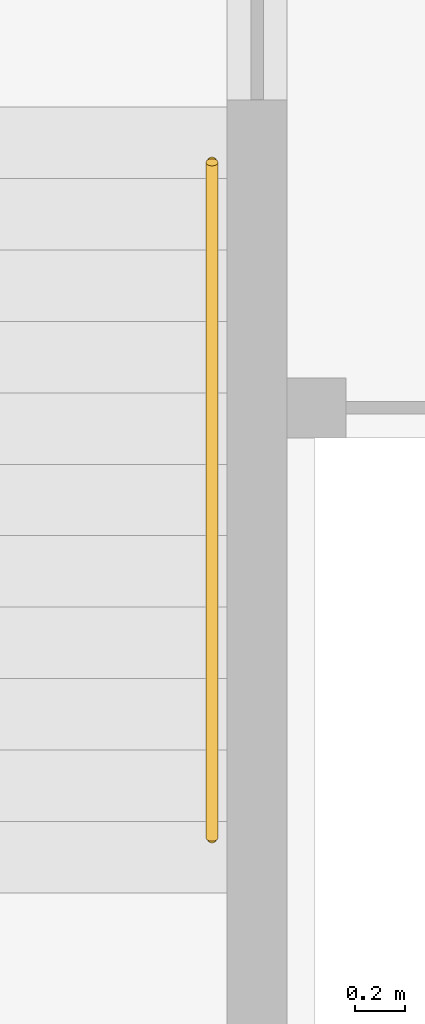
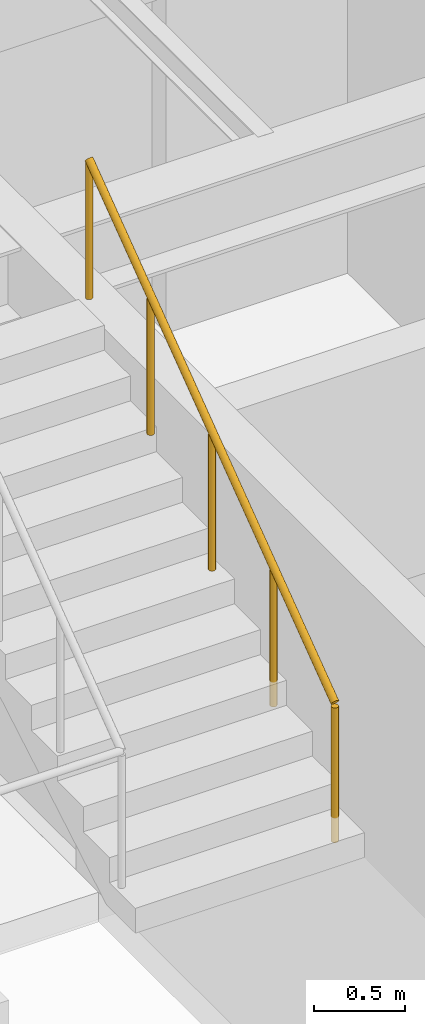
# One storey, part 17 of 17: 1 railing.
"""IFC4 building model written with IfcOpenShell, lengths in metres."""

from ifc_helpers import new_model, si_unit, direction, frame, origin, origin_2d, place, context, subcontext, project, spatial, circle, extrude, material, type_object, element, save


model = new_model("IFC4")

# Units and contexts
model_context = context("Model", 3, precision=1e-05, world=origin(), true_north=direction((0.0, 1.0)))
body_context = subcontext(model_context, "Body", "Model", "MODEL_VIEW")
ifc_project = project(units=[si_unit("LENGTHUNIT", "METRE"), si_unit("AREAUNIT", "SQUARE_METRE"), si_unit("VOLUMEUNIT", "CUBIC_METRE"), si_unit("PLANEANGLEUNIT", "RADIAN"), si_unit("MASSUNIT", "GRAM", prefix="KILO")], contexts=[model_context])

# Site, building, storey
site_placement = place(None, origin())
site = spatial("IfcSite", under=ifc_project, at=site_placement, CompositionType="ELEMENT")
building_placement = place(site_placement, origin())
building = spatial("IfcBuilding", under=site, at=building_placement, Name="Montelvaro Courts of Justice", CompositionType="ELEMENT")
storey_placement = place(building_placement, frame((0.0, 0.0, 31.39990234375)))
storey = spatial("IfcBuildingStorey", under=building, at=storey_placement, Name="L07", CompositionType="ELEMENT", Elevation=31.39990234375)

# Railing
ifc_material = material(Name="Austenitic stainless steel EN 1.4401", Category="steel")
railing_type = type_object("IfcRailingType", Name="StairHandrail_950", PredefinedType="HANDRAIL", material=ifc_material)
railing_placement = place(storey_placement, frame((112.239990234375, 8.304931640625, 2.0)))
element("IfcRailing", 1, at=railing_placement, inside=storey, type_object=railing_type, Name="Stair Pitch Handrail HR-01 ST-K2-L07-F2H", PredefinedType="HANDRAIL", context=body_context, shape_type="SweptSolid", body=[
    extrude(circle(Radius=0.02392578125, at=origin_2d()), frame((0.0, 0.0, 0.92578125), z_axis=(0.0, 0.803036263579, 0.595930163171), x_axis=(-1.0, 0.0, 0.0)), (0.0, 0.0, 1.0), 3.356201171875),
    extrude(circle(Radius=0.02099609375, at=origin_2d()), origin(), (0.0, 0.0, 1.0), 0.90185546875),
    extrude(circle(Radius=0.02099609375, at=origin_2d()), frame((0.0, 0.673828125, 0.5)), (0.0, 0.0, 1.0), 0.90185546875),
    extrude(circle(Radius=0.02099609375, at=origin_2d()), frame((0.0, 1.34765625, 1.0)), (0.0, 0.0, 1.0), 0.90185546875),
    extrude(circle(Radius=0.02099609375, at=origin_2d()), frame((0.0, 2.021240234375, 1.5)), (0.0, 0.0, 1.0), 0.90185546875),
    extrude(circle(Radius=0.02099609375, at=origin_2d()), frame((0.0, 2.695068359375, 2.0)), (0.0, 0.0, 1.0), 0.90185546875),
])

save(model, "model.ifc")
